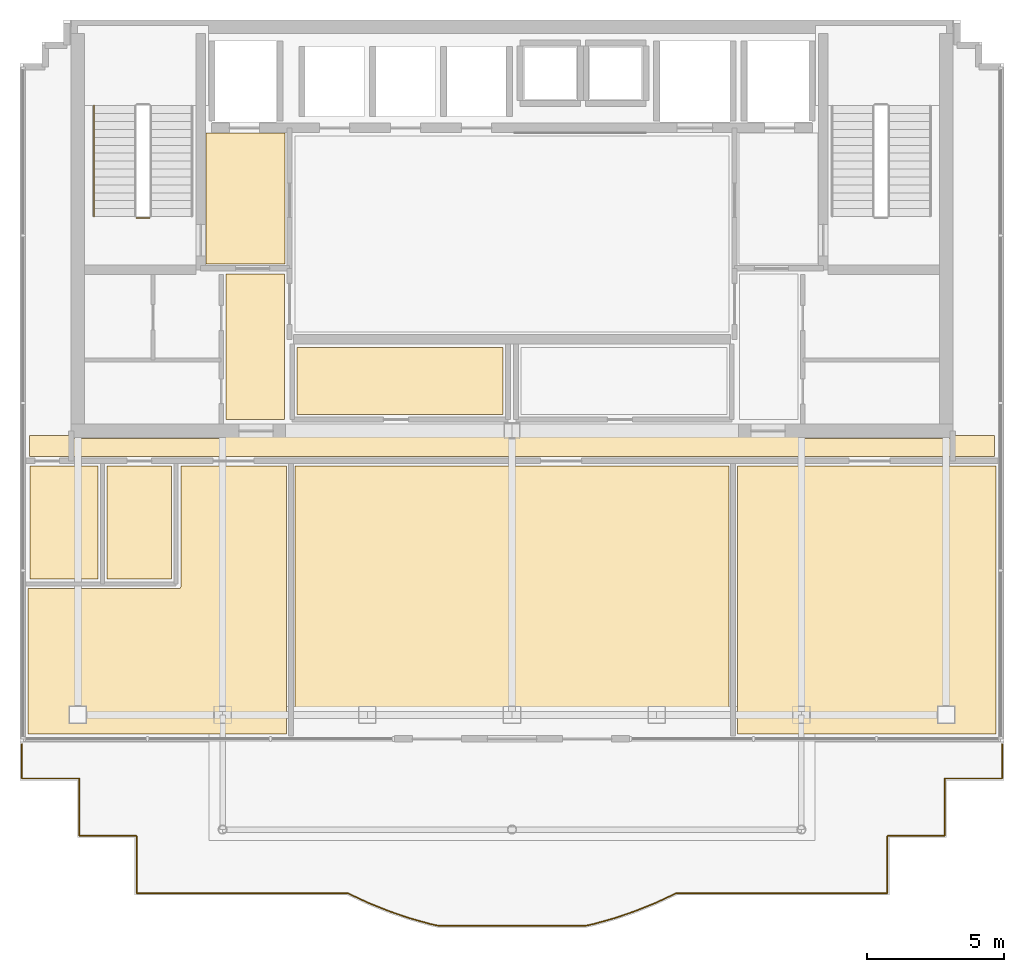
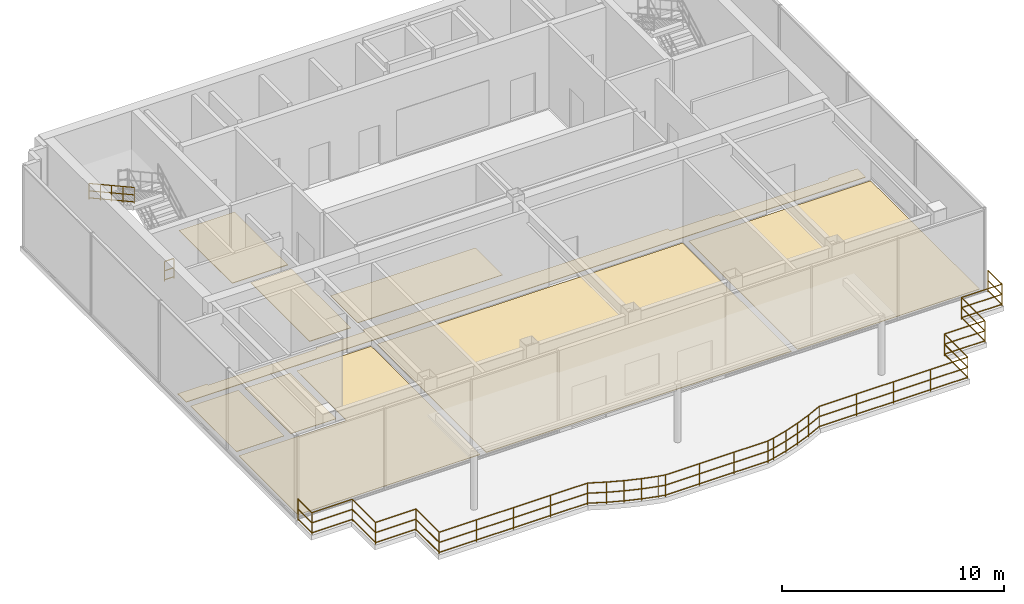
# One storey, part 10 of 11: 9 coverings, 3 railings.
"""IFC4 building model written with IfcOpenShell, lengths in metres."""

from ifc_helpers import new_model, si_unit, direction, frame, origin, origin_2d, place, context, subcontext, project, spatial, polyline, circle, outline, extrude, material, layer, layer_set, type_object, element, save


model = new_model("IFC4")

# Units and contexts
model_context = context("Model", 3, precision=1e-05, world=origin(), true_north=direction((0.0, 1.0)))
body_context = subcontext(model_context, "Body", "Model", "MODEL_VIEW")
ifc_project = project(units=[si_unit("LENGTHUNIT", "METRE"), si_unit("AREAUNIT", "SQUARE_METRE"), si_unit("VOLUMEUNIT", "CUBIC_METRE"), si_unit("PLANEANGLEUNIT", "RADIAN"), si_unit("MASSUNIT", "GRAM", prefix="KILO")], contexts=[model_context])

# Site, building, storey
site_placement = place(None, origin())
site = spatial("IfcSite", under=ifc_project, at=site_placement, CompositionType="ELEMENT")
building_placement = place(site_placement, origin())
building = spatial("IfcBuilding", under=site, at=building_placement, Name="Qianlan Lanfeng Residences", CompositionType="ELEMENT")
storey_placement = place(building_placement, frame((0.0, 0.0, 266.0)))
storey = spatial("IfcBuildingStorey", under=building, at=storey_placement, Name="L74", CompositionType="ELEMENT", Elevation=266.0)

# Coverings
ifc_material_1 = material(Name="Honed Taitung Granite Stone Flooring", Category="masonry")
ifc_layer_1 = layer(ifc_material_1, 0.030029296875)
ifc_layer_set_1 = layer_set([ifc_layer_1], Name="Honed Taitung Granite Stone Flooring")
covering_type_1 = type_object("IfcCoveringType", Name="FLR-STN-30", PredefinedType="FLOORING", material=ifc_layer_set_1)
covering_1_placement = place(storey_placement, origin())
element("IfcCovering", 1, at=covering_1_placement, inside=storey, type_object=covering_type_1, Name="L74 Firefighting Lift Lobby Floor Finish", PredefinedType="FLOORING", context=body_context, shape_type="SweptSolid", body=[
    extrude(outline(polyline([(15.2900390625, 31.320068359375), (18.179931640625, 31.320068359375), (18.179931640625, 36.110107421875), (15.2900390625, 36.110107421875), (15.2900390625, 31.320068359375)])), origin(), (0.0, 0.0, 1.0), 0.030029296875),
])
covering_2_placement = place(storey_placement, origin())
element("IfcCovering", 2, at=covering_2_placement, inside=storey, type_object=covering_type_1, Name="L74 Sky Observation Gallery Floor Finish", PredefinedType="FLOORING", context=body_context, shape_type="SweptSolid", body=[
    extrude(outline(polyline([(18.56005859375, 23.909912109375), (18.56005859375, 14.090087890625), (34.43994140625, 14.090087890625), (34.43994140625, 23.909912109375), (18.56005859375, 23.909912109375)])), origin(), (0.0, 0.0, 1.0), 0.030029296875),
])
covering_3_placement = place(storey_placement, origin())
element("IfcCovering", 3, at=covering_3_placement, inside=storey, type_object=covering_type_1, Name="L74 Observation Concourse Floor Finish", PredefinedType="FLOORING", context=body_context, shape_type="SweptSolid", body=[
    extrude(outline(polyline([(8.820068359375, 24.27001953125), (44.179931640625, 24.27001953125), (44.179931640625, 25.030029296875), (42.669921875, 25.030029296875), (42.669921875, 25.0), (42.669921875, 24.992919921875), (42.6689453125, 24.986083984375), (42.6669921875, 24.97998046875), (42.6650390625, 24.972900390625), (42.662109375, 24.967041015625), (42.657958984375, 24.9609375), (42.654052734375, 24.9560546875), (42.64892578125, 24.950927734375), (42.64404296875, 24.946044921875), (42.638916015625, 24.94189453125), (42.633056640625, 24.93798828125), (42.626953125, 24.93505859375), (42.6201171875, 24.93310546875), (42.614013671875, 24.930908203125), (42.60693359375, 24.929931640625), (42.60009765625, 24.929931640625), (37.050048828125, 24.929931640625), (37.04296875, 24.929931640625), (37.035888671875, 24.930908203125), (37.030029296875, 24.93310546875), (37.02294921875, 24.93505859375), (37.01708984375, 24.93798828125), (37.010986328125, 24.94189453125), (37.006103515625, 24.946044921875), (37.0009765625, 24.950927734375), (36.99609375, 24.9560546875), (36.991943359375, 24.9609375), (36.988037109375, 24.967041015625), (36.985107421875, 24.972900390625), (36.98291015625, 24.97998046875), (36.98095703125, 24.986083984375), (36.97998046875, 24.992919921875), (36.97998046875, 25.0), (36.97998046875, 25.030029296875), (34.5, 25.030029296875), (34.492919921875, 25.030029296875), (34.486083984375, 25.031005859375), (34.47998046875, 25.032958984375), (34.472900390625, 25.034912109375), (34.467041015625, 25.0380859375), (34.4609375, 25.0419921875), (34.4560546875, 25.0458984375), (34.450927734375, 25.051025390625), (34.446044921875, 25.055908203125), (34.44189453125, 25.06103515625), (34.43798828125, 25.06689453125), (34.43505859375, 25.072998046875), (34.43310546875, 25.080078125), (34.430908203125, 25.0859375), (34.429931640625, 25.093017578125), (34.429931640625, 25.10009765625), (34.429931640625, 25.2099609375), (18.570068359375, 25.2099609375), (18.570068359375, 25.10009765625), (18.570068359375, 25.093017578125), (18.569091796875, 25.0859375), (18.56689453125, 25.080078125), (18.56494140625, 25.072998046875), (18.56201171875, 25.06689453125), (18.55810546875, 25.06103515625), (18.553955078125, 25.055908203125), (18.549072265625, 25.051025390625), (18.5439453125, 25.0458984375), (18.5390625, 25.0419921875), (18.532958984375, 25.0380859375), (18.527099609375, 25.034912109375), (18.52001953125, 25.032958984375), (18.513916015625, 25.031005859375), (18.507080078125, 25.030029296875), (18.5, 25.030029296875), (16.02001953125, 25.030029296875), (16.02001953125, 25.0), (16.02001953125, 24.992919921875), (16.01904296875, 24.986083984375), (16.01708984375, 24.97998046875), (16.014892578125, 24.972900390625), (16.011962890625, 24.967041015625), (16.008056640625, 24.9609375), (16.00390625, 24.9560546875), (15.9990234375, 24.950927734375), (15.993896484375, 24.946044921875), (15.989013671875, 24.94189453125), (15.98291015625, 24.93798828125), (15.97705078125, 24.93505859375), (15.969970703125, 24.93310546875), (15.964111328125, 24.930908203125), (15.95703125, 24.929931640625), (15.949951171875, 24.929931640625), (10.39990234375, 24.929931640625), (10.39306640625, 24.929931640625), (10.385986328125, 24.930908203125), (10.3798828125, 24.93310546875), (10.373046875, 24.93505859375), (10.366943359375, 24.93798828125), (10.361083984375, 24.94189453125), (10.35595703125, 24.946044921875), (10.35107421875, 24.950927734375), (10.345947265625, 24.9560546875), (10.342041015625, 24.9609375), (10.337890625, 24.967041015625), (10.3349609375, 24.972900390625), (10.3330078125, 24.97998046875), (10.3310546875, 24.986083984375), (10.330078125, 24.992919921875), (10.330078125, 25.0), (10.330078125, 25.030029296875), (8.820068359375, 25.030029296875), (8.820068359375, 24.27001953125)])), origin(), (0.0, 0.0, 1.0), 0.030029296875),
])
covering_4_placement = place(storey_placement, origin())
element("IfcCovering", 4, at=covering_4_placement, inside=storey, type_object=covering_type_1, Name="L74 Lift Lobby Floor Finish", PredefinedType="FLOORING", context=body_context, shape_type="SweptSolid", body=[
    extrude(outline(polyline([(16.030029296875, 25.6201171875), (18.169921875, 25.6201171875), (18.169921875, 30.949951171875), (16.030029296875, 30.949951171875), (16.030029296875, 25.6201171875)])), origin(), (0.0, 0.0, 1.0), 0.030029296875),
])
ifc_material_2 = material(Name="Slip-Resistant Porcelain Tile Flooring")
ifc_layer_2 = layer(ifc_material_2, 0.02001953125)
ifc_layer_set_2 = layer_set([ifc_layer_2], Name="Slip-Resistant Porcelain Tile Flooring")
covering_type_2 = type_object("IfcCoveringType", Name="FLR-TIL-20", PredefinedType="FLOORING", material=ifc_layer_set_2)
covering_5_placement = place(storey_placement, origin())
element("IfcCovering", 5, at=covering_5_placement, inside=storey, type_object=covering_type_2, Name="L74 Public Restroom Floor Finish", PredefinedType="FLOORING", context=body_context, shape_type="SweptSolid", body=[
    extrude(outline(polyline([(8.85009765625, 19.77001953125), (11.330078125, 19.77001953125), (11.330078125, 23.909912109375), (8.85009765625, 23.909912109375), (8.85009765625, 19.77001953125)])), origin(), (0.0, 0.0, 1.0), 0.02001953125),
])
covering_6_placement = place(storey_placement, origin())
element("IfcCovering", 6, at=covering_6_placement, inside=storey, type_object=covering_type_2, Name="L74 Accessible WC Floor Finish", PredefinedType="FLOORING", context=body_context, shape_type="SweptSolid", body=[
    extrude(outline(polyline([(11.669921875, 19.77001953125), (14.030029296875, 19.77001953125), (14.030029296875, 23.909912109375), (11.669921875, 23.909912109375), (11.669921875, 19.77001953125)])), origin(), (0.0, 0.0, 1.0), 0.02001953125),
])
ifc_material_3 = material(Name="Engineered Smoked Oak Timber Flooring", Category="wood")
ifc_layer_3 = layer(ifc_material_3, 0.02197265625)
ifc_layer_set_3 = layer_set([ifc_layer_3], Name="Engineered Smoked Oak Timber Flooring")
covering_type_3 = type_object("IfcCoveringType", Name="FLR-TIM-22", PredefinedType="FLOORING", material=ifc_layer_set_3)
covering_7_placement = place(storey_placement, origin())
element("IfcCovering", 7, at=covering_7_placement, inside=storey, type_object=covering_type_3, Name="L74 Gallery Salon Floor Finish", PredefinedType="FLOORING", context=body_context, shape_type="SweptSolid", body=[
    extrude(outline(polyline([(18.6298828125, 25.800048828125), (26.169921875, 25.800048828125), (26.169921875, 28.2548828125), (18.6298828125, 28.2548828125), (18.6298828125, 25.800048828125)])), origin(), (0.0, 0.0, 1.0), 0.02197265625),
])
covering_8_placement = place(storey_placement, origin())
element("IfcCovering", 8, at=covering_8_placement, inside=storey, type_object=covering_type_3, Name="L74 Exhibition Alcove Floor Finish", PredefinedType="FLOORING", context=body_context, shape_type="SweptSolid", body=[
    extrude(outline(polyline([(18.239990234375, 14.090087890625), (18.239990234375, 23.909912109375), (14.3701171875, 23.909912109375), (14.3701171875, 19.5), (14.3701171875, 19.492919921875), (14.368896484375, 19.486083984375), (14.366943359375, 19.47998046875), (14.364990234375, 19.472900390625), (14.362060546875, 19.467041015625), (14.35791015625, 19.4609375), (14.35400390625, 19.4560546875), (14.34912109375, 19.450927734375), (14.343994140625, 19.446044921875), (14.339111328125, 19.44189453125), (14.3330078125, 19.43798828125), (14.326904296875, 19.43505859375), (14.320068359375, 19.43310546875), (14.31396484375, 19.430908203125), (14.306884765625, 19.429931640625), (14.300048828125, 19.429931640625), (8.77001953125, 19.429931640625), (8.77001953125, 14.090087890625), (18.239990234375, 14.090087890625)])), origin(), (0.0, 0.0, 1.0), 0.02197265625),
])
covering_9_placement = place(storey_placement, origin())
element("IfcCovering", 9, at=covering_9_placement, inside=storey, type_object=covering_type_3, Name="L74 Telescope Viewing Room Floor Finish", PredefinedType="FLOORING", context=body_context, shape_type="SweptSolid", body=[
    extrude(outline(polyline([(34.760009765625, 23.909912109375), (34.760009765625, 14.090087890625), (44.22998046875, 14.090087890625), (44.22998046875, 23.909912109375), (34.760009765625, 23.909912109375)])), origin(), (0.0, 0.0, 1.0), 0.02197265625),
])

# Railings
ifc_material_4 = material(Name="Anodised Bronze Aluminium and Laminated Glass Guard Balustrade", Category="aluminium")
railing_type_1 = type_object("IfcRailingType", Name="GR-EXT-1220", PredefinedType="BALUSTRADE", material=ifc_material_4)
railing_1_placement = place(storey_placement, frame((44.449951171875, 13.72998046875, 0.0)))
element("IfcRailing", 10, at=railing_1_placement, inside=storey, type_object=railing_type_1, Name="L74 Terrace Safety Guard GR-L74-OBS", PredefinedType="BALUSTRADE", context=body_context, shape_type="SweptSolid", body=[
    extrude(circle(Radius=0.02490234375, at=origin_2d()), frame((0.0, 0.0, 0.0849609375), z_axis=(0.0, -1.0, 0.0), x_axis=(1.0, 0.0, 0.0)), (0.0, 0.0, 1.0), 1.260009765625),
    extrude(circle(Radius=0.02490234375, at=origin_2d()), frame((0.0, 0.0, 0.63427734375), z_axis=(0.0, -1.0, 0.0), x_axis=(1.0, 0.0, 0.0)), (0.0, 0.0, 1.0), 1.260009765625),
    extrude(circle(Radius=0.02490234375, at=origin_2d()), frame((0.0, 0.0, 1.19482421875), z_axis=(0.0, -1.0, 0.0), x_axis=(1.0, 0.0, 0.0)), (0.0, 0.0, 1.0), 1.260009765625),
    extrude(circle(Radius=0.02490234375, at=origin_2d()), frame((0.0, -1.260009765625, 0.0849609375), z_axis=(-1.0, 0.0, 0.0), x_axis=(0.0, -1.0, 0.0)), (0.0, 0.0, 1.0), 2.099853515625),
    extrude(circle(Radius=0.02490234375, at=origin_2d()), frame((0.0, -1.260009765625, 0.63427734375), z_axis=(-1.0, 0.0, 0.0), x_axis=(0.0, -1.0, 0.0)), (0.0, 0.0, 1.0), 2.099853515625),
    extrude(circle(Radius=0.02490234375, at=origin_2d()), frame((0.0, -1.260009765625, 1.19482421875), z_axis=(-1.0, 0.0, 0.0), x_axis=(0.0, -1.0, 0.0)), (0.0, 0.0, 1.0), 2.099853515625),
    extrude(circle(Radius=0.02490234375, at=origin_2d()), frame((-2.099853515625, -1.260009765625, 0.0849609375), z_axis=(0.0, -1.0, 0.0), x_axis=(1.0, 0.0, 0.0)), (0.0, 0.0, 1.0), 2.099853515625),
    extrude(circle(Radius=0.02490234375, at=origin_2d()), frame((-2.099853515625, -1.260009765625, 0.63427734375), z_axis=(0.0, -1.0, 0.0), x_axis=(1.0, 0.0, 0.0)), (0.0, 0.0, 1.0), 2.099853515625),
    extrude(circle(Radius=0.02490234375, at=origin_2d()), frame((-2.099853515625, -1.260009765625, 1.19482421875), z_axis=(0.0, -1.0, 0.0), x_axis=(1.0, 0.0, 0.0)), (0.0, 0.0, 1.0), 2.099853515625),
    extrude(circle(Radius=0.02490234375, at=origin_2d()), frame((-2.099853515625, -3.35986328125, 0.0849609375), z_axis=(-1.0, 0.0, 0.0), x_axis=(0.0, -1.0, 0.0)), (0.0, 0.0, 1.0), 2.10009765625),
    extrude(circle(Radius=0.02490234375, at=origin_2d()), frame((-2.099853515625, -3.35986328125, 0.63427734375), z_axis=(-1.0, 0.0, 0.0), x_axis=(0.0, -1.0, 0.0)), (0.0, 0.0, 1.0), 2.10009765625),
    extrude(circle(Radius=0.02490234375, at=origin_2d()), frame((-2.099853515625, -3.35986328125, 1.19482421875), z_axis=(-1.0, 0.0, 0.0), x_axis=(0.0, -1.0, 0.0)), (0.0, 0.0, 1.0), 2.10009765625),
    extrude(circle(Radius=0.02490234375, at=origin_2d()), frame((-4.199951171875, -3.35986328125, 0.0849609375), z_axis=(0.0, -1.0, 0.0), x_axis=(1.0, 0.0, 0.0)), (0.0, 0.0, 1.0), 2.10009765625),
    extrude(circle(Radius=0.02490234375, at=origin_2d()), frame((-4.199951171875, -3.35986328125, 0.63427734375), z_axis=(0.0, -1.0, 0.0), x_axis=(1.0, 0.0, 0.0)), (0.0, 0.0, 1.0), 2.10009765625),
    extrude(circle(Radius=0.02490234375, at=origin_2d()), frame((-4.199951171875, -3.35986328125, 1.19482421875), z_axis=(0.0, -1.0, 0.0), x_axis=(1.0, 0.0, 0.0)), (0.0, 0.0, 1.0), 2.10009765625),
    extrude(circle(Radius=0.02490234375, at=origin_2d()), frame((-4.199951171875, -5.4599609375, 0.0849609375), z_axis=(-1.0, 0.0, 0.0), x_axis=(0.0, -1.0, 0.0)), (0.0, 0.0, 1.0), 7.72607421875),
    extrude(circle(Radius=0.02490234375, at=origin_2d()), frame((-4.199951171875, -5.4599609375, 0.63427734375), z_axis=(-1.0, 0.0, 0.0), x_axis=(0.0, -1.0, 0.0)), (0.0, 0.0, 1.0), 7.72607421875),
    extrude(circle(Radius=0.02490234375, at=origin_2d()), frame((-4.199951171875, -5.4599609375, 1.19482421875), z_axis=(-1.0, 0.0, 0.0), x_axis=(0.0, -1.0, 0.0)), (0.0, 0.0, 1.0), 7.72607421875),
    extrude(circle(Radius=0.02490234375, at=origin_2d()), frame((-11.926025390625, -5.4599609375, 0.0849609375), z_axis=(-0.906161027869, -0.422932845226, 0.0), x_axis=(0.422932845226, -0.906161027869, 0.0)), (0.0, 0.0, 1.0), 0.84619140625),
    extrude(circle(Radius=0.02490234375, at=origin_2d()), frame((-11.926025390625, -5.4599609375, 0.63427734375), z_axis=(-0.906161027869, -0.422932845226, 0.0), x_axis=(0.422932845226, -0.906161027869, 0.0)), (0.0, 0.0, 1.0), 0.84619140625),
    extrude(circle(Radius=0.02490234375, at=origin_2d()), frame((-11.926025390625, -5.4599609375, 1.19482421875), z_axis=(-0.906161027869, -0.422932845226, 0.0), x_axis=(0.422932845226, -0.906161027869, 0.0)), (0.0, 0.0, 1.0), 0.84619140625),
    extrude(circle(Radius=0.02490234375, at=origin_2d()), frame((-12.69287109375, -5.81787109375, 0.0849609375), z_axis=(-0.927788655296, -0.373106165995, 0.0), x_axis=(0.373106165995, -0.927788655296, 0.0)), (0.0, 0.0, 1.0), 0.809326171875),
    extrude(circle(Radius=0.02490234375, at=origin_2d()), frame((-12.69287109375, -5.81787109375, 0.63427734375), z_axis=(-0.927788655296, -0.373106165995, 0.0), x_axis=(0.373106165995, -0.927788655296, 0.0)), (0.0, 0.0, 1.0), 0.809326171875),
    extrude(circle(Radius=0.02490234375, at=origin_2d()), frame((-12.69287109375, -5.81787109375, 1.19482421875), z_axis=(-0.927788655296, -0.373106165995, 0.0), x_axis=(0.373106165995, -0.927788655296, 0.0)), (0.0, 0.0, 1.0), 0.809326171875),
    extrude(circle(Radius=0.02490234375, at=origin_2d()), frame((-13.44384765625, -6.119873046875, 0.0849609375), z_axis=(-0.946260479607, -0.323405480372, 0.0), x_axis=(0.323405480372, -0.946260479607, 0.0)), (0.0, 0.0, 1.0), 0.794921875),
    extrude(circle(Radius=0.02490234375, at=origin_2d()), frame((-13.44384765625, -6.119873046875, 0.63427734375), z_axis=(-0.946260479607, -0.323405480372, 0.0), x_axis=(0.323405480372, -0.946260479607, 0.0)), (0.0, 0.0, 1.0), 0.794921875),
    extrude(circle(Radius=0.02490234375, at=origin_2d()), frame((-13.44384765625, -6.119873046875, 1.19482421875), z_axis=(-0.946260479607, -0.323405480372, 0.0), x_axis=(0.323405480372, -0.946260479607, 0.0)), (0.0, 0.0, 1.0), 0.794921875),
    extrude(circle(Radius=0.02490234375, at=origin_2d()), frame((-14.196044921875, -6.376953125, 0.0849609375), z_axis=(-0.963068001999, -0.269258284044, 0.0), x_axis=(0.269258284044, -0.963068001999, 0.0)), (0.0, 0.0, 1.0), 0.77978515625),
    extrude(circle(Radius=0.02490234375, at=origin_2d()), frame((-14.196044921875, -6.376953125, 0.63427734375), z_axis=(-0.963068001999, -0.269258284044, 0.0), x_axis=(0.269258284044, -0.963068001999, 0.0)), (0.0, 0.0, 1.0), 0.77978515625),
    extrude(circle(Radius=0.02490234375, at=origin_2d()), frame((-14.196044921875, -6.376953125, 1.19482421875), z_axis=(-0.963068001999, -0.269258284044, 0.0), x_axis=(0.269258284044, -0.963068001999, 0.0)), (0.0, 0.0, 1.0), 0.77978515625),
    extrude(circle(Radius=0.02490234375, at=origin_2d()), frame((-14.947021484375, -6.5869140625, 0.0849609375), z_axis=(-0.977195588382, -0.212341192534, 0.0), x_axis=(0.212341192534, -0.977195588382, 0.0)), (0.0, 0.0, 1.0), 0.34375),
    extrude(circle(Radius=0.02490234375, at=origin_2d()), frame((-14.947021484375, -6.5869140625, 0.63427734375), z_axis=(-0.977195588382, -0.212341192534, 0.0), x_axis=(0.212341192534, -0.977195588382, 0.0)), (0.0, 0.0, 1.0), 0.34375),
    extrude(circle(Radius=0.02490234375, at=origin_2d()), frame((-14.947021484375, -6.5869140625, 1.19482421875), z_axis=(-0.977195588382, -0.212341192534, 0.0), x_axis=(0.212341192534, -0.977195588382, 0.0)), (0.0, 0.0, 1.0), 0.34375),
    extrude(circle(Radius=0.02490234375, at=origin_2d()), frame((-15.282958984375, -6.659912109375, 0.0849609375), z_axis=(-1.0, 0.0, 0.0), x_axis=(0.0, -1.0, 0.0)), (0.0, 0.0, 1.0), 5.333984375),
    extrude(circle(Radius=0.02490234375, at=origin_2d()), frame((-15.282958984375, -6.659912109375, 0.63427734375), z_axis=(-1.0, 0.0, 0.0), x_axis=(0.0, -1.0, 0.0)), (0.0, 0.0, 1.0), 5.333984375),
    extrude(circle(Radius=0.02490234375, at=origin_2d()), frame((-15.282958984375, -6.659912109375, 1.19482421875), z_axis=(-1.0, 0.0, 0.0), x_axis=(0.0, -1.0, 0.0)), (0.0, 0.0, 1.0), 5.333984375),
    extrude(circle(Radius=0.02490234375, at=origin_2d()), frame((-20.616943359375, -6.659912109375, 0.0849609375), z_axis=(-0.977195588382, 0.212341192534, 0.0), x_axis=(-0.212341192534, -0.977195588382, 0.0)), (0.0, 0.0, 1.0), 0.34375),
    extrude(circle(Radius=0.02490234375, at=origin_2d()), frame((-20.616943359375, -6.659912109375, 0.63427734375), z_axis=(-0.977195588382, 0.212341192534, 0.0), x_axis=(-0.212341192534, -0.977195588382, 0.0)), (0.0, 0.0, 1.0), 0.34375),
    extrude(circle(Radius=0.02490234375, at=origin_2d()), frame((-20.616943359375, -6.659912109375, 1.19482421875), z_axis=(-0.977195588382, 0.212341192534, 0.0), x_axis=(-0.212341192534, -0.977195588382, 0.0)), (0.0, 0.0, 1.0), 0.34375),
    extrude(circle(Radius=0.02490234375, at=origin_2d()), frame((-20.952880859375, -6.5869140625, 0.0849609375), z_axis=(-0.963068001999, 0.269258284044, 0.0), x_axis=(-0.269258284044, -0.963068001999, 0.0)), (0.0, 0.0, 1.0), 0.77978515625),
    extrude(circle(Radius=0.02490234375, at=origin_2d()), frame((-20.952880859375, -6.5869140625, 0.63427734375), z_axis=(-0.963068001999, 0.269258284044, 0.0), x_axis=(-0.269258284044, -0.963068001999, 0.0)), (0.0, 0.0, 1.0), 0.77978515625),
    extrude(circle(Radius=0.02490234375, at=origin_2d()), frame((-20.952880859375, -6.5869140625, 1.19482421875), z_axis=(-0.963068001999, 0.269258284044, 0.0), x_axis=(-0.269258284044, -0.963068001999, 0.0)), (0.0, 0.0, 1.0), 0.77978515625),
    extrude(circle(Radius=0.02490234375, at=origin_2d()), frame((-21.703857421875, -6.376953125, 0.0849609375), z_axis=(-0.946260479607, 0.323405480372, 0.0), x_axis=(-0.323405480372, -0.946260479607, 0.0)), (0.0, 0.0, 1.0), 0.794921875),
    extrude(circle(Radius=0.02490234375, at=origin_2d()), frame((-21.703857421875, -6.376953125, 0.63427734375), z_axis=(-0.946260479607, 0.323405480372, 0.0), x_axis=(-0.323405480372, -0.946260479607, 0.0)), (0.0, 0.0, 1.0), 0.794921875),
    extrude(circle(Radius=0.02490234375, at=origin_2d()), frame((-21.703857421875, -6.376953125, 1.19482421875), z_axis=(-0.946260479607, 0.323405480372, 0.0), x_axis=(-0.323405480372, -0.946260479607, 0.0)), (0.0, 0.0, 1.0), 0.794921875),
    extrude(circle(Radius=0.02490234375, at=origin_2d()), frame((-22.4560546875, -6.119873046875, 0.0849609375), z_axis=(-0.927788655296, 0.373106165995, 0.0), x_axis=(-0.373106165995, -0.927788655296, 0.0)), (0.0, 0.0, 1.0), 0.809326171875),
    extrude(circle(Radius=0.02490234375, at=origin_2d()), frame((-22.4560546875, -6.119873046875, 0.63427734375), z_axis=(-0.927788655296, 0.373106165995, 0.0), x_axis=(-0.373106165995, -0.927788655296, 0.0)), (0.0, 0.0, 1.0), 0.809326171875),
    extrude(circle(Radius=0.02490234375, at=origin_2d()), frame((-22.4560546875, -6.119873046875, 1.19482421875), z_axis=(-0.927788655296, 0.373106165995, 0.0), x_axis=(-0.373106165995, -0.927788655296, 0.0)), (0.0, 0.0, 1.0), 0.809326171875),
    extrude(circle(Radius=0.02490234375, at=origin_2d()), frame((-23.20703125, -5.81787109375, 0.0849609375), z_axis=(-0.906161027869, 0.422932845226, 0.0), x_axis=(-0.422932845226, -0.906161027869, 0.0)), (0.0, 0.0, 1.0), 0.84619140625),
    extrude(circle(Radius=0.02490234375, at=origin_2d()), frame((-23.20703125, -5.81787109375, 0.63427734375), z_axis=(-0.906161027869, 0.422932845226, 0.0), x_axis=(-0.422932845226, -0.906161027869, 0.0)), (0.0, 0.0, 1.0), 0.84619140625),
    extrude(circle(Radius=0.02490234375, at=origin_2d()), frame((-23.20703125, -5.81787109375, 1.19482421875), z_axis=(-0.906161027869, 0.422932845226, 0.0), x_axis=(-0.422932845226, -0.906161027869, 0.0)), (0.0, 0.0, 1.0), 0.84619140625),
    extrude(circle(Radius=0.02490234375, at=origin_2d()), frame((-23.973876953125, -5.4599609375, 0.0849609375), z_axis=(-1.0, 0.0, 0.0), x_axis=(0.0, -1.0, 0.0)), (0.0, 0.0, 1.0), 7.72607421875),
    extrude(circle(Radius=0.02490234375, at=origin_2d()), frame((-23.973876953125, -5.4599609375, 0.63427734375), z_axis=(-1.0, 0.0, 0.0), x_axis=(0.0, -1.0, 0.0)), (0.0, 0.0, 1.0), 7.72607421875),
    extrude(circle(Radius=0.02490234375, at=origin_2d()), frame((-23.973876953125, -5.4599609375, 1.19482421875), z_axis=(-1.0, 0.0, 0.0), x_axis=(0.0, -1.0, 0.0)), (0.0, 0.0, 1.0), 7.72607421875),
    extrude(circle(Radius=0.02490234375, at=origin_2d()), frame((-31.699951171875, -5.4599609375, 0.0849609375), z_axis=(0.0, 1.0, 0.0), x_axis=(-1.0, 0.0, 0.0)), (0.0, 0.0, 1.0), 2.10009765625),
    extrude(circle(Radius=0.02490234375, at=origin_2d()), frame((-31.699951171875, -5.4599609375, 0.63427734375), z_axis=(0.0, 1.0, 0.0), x_axis=(-1.0, 0.0, 0.0)), (0.0, 0.0, 1.0), 2.10009765625),
    extrude(circle(Radius=0.02490234375, at=origin_2d()), frame((-31.699951171875, -5.4599609375, 1.19482421875), z_axis=(0.0, 1.0, 0.0), x_axis=(-1.0, 0.0, 0.0)), (0.0, 0.0, 1.0), 2.10009765625),
    extrude(circle(Radius=0.02490234375, at=origin_2d()), frame((-31.699951171875, -3.35986328125, 0.0849609375), z_axis=(-1.0, 0.0, 0.0), x_axis=(0.0, -1.0, 0.0)), (0.0, 0.0, 1.0), 2.10009765625),
    extrude(circle(Radius=0.02490234375, at=origin_2d()), frame((-31.699951171875, -3.35986328125, 0.63427734375), z_axis=(-1.0, 0.0, 0.0), x_axis=(0.0, -1.0, 0.0)), (0.0, 0.0, 1.0), 2.10009765625),
    extrude(circle(Radius=0.02490234375, at=origin_2d()), frame((-31.699951171875, -3.35986328125, 1.19482421875), z_axis=(-1.0, 0.0, 0.0), x_axis=(0.0, -1.0, 0.0)), (0.0, 0.0, 1.0), 2.10009765625),
    extrude(circle(Radius=0.02490234375, at=origin_2d()), frame((-33.800048828125, -3.35986328125, 0.0849609375), z_axis=(0.0, 1.0, 0.0), x_axis=(-1.0, 0.0, 0.0)), (0.0, 0.0, 1.0), 2.099853515625),
    extrude(circle(Radius=0.02490234375, at=origin_2d()), frame((-33.800048828125, -3.35986328125, 0.63427734375), z_axis=(0.0, 1.0, 0.0), x_axis=(-1.0, 0.0, 0.0)), (0.0, 0.0, 1.0), 2.099853515625),
    extrude(circle(Radius=0.02490234375, at=origin_2d()), frame((-33.800048828125, -3.35986328125, 1.19482421875), z_axis=(0.0, 1.0, 0.0), x_axis=(-1.0, 0.0, 0.0)), (0.0, 0.0, 1.0), 2.099853515625),
    extrude(circle(Radius=0.02490234375, at=origin_2d()), frame((-33.800048828125, -1.260009765625, 0.0849609375), z_axis=(-1.0, 0.0, 0.0), x_axis=(0.0, -1.0, 0.0)), (0.0, 0.0, 1.0), 2.099853515625),
    extrude(circle(Radius=0.02490234375, at=origin_2d()), frame((-33.800048828125, -1.260009765625, 0.63427734375), z_axis=(-1.0, 0.0, 0.0), x_axis=(0.0, -1.0, 0.0)), (0.0, 0.0, 1.0), 2.099853515625),
    extrude(circle(Radius=0.02490234375, at=origin_2d()), frame((-33.800048828125, -1.260009765625, 1.19482421875), z_axis=(-1.0, 0.0, 0.0), x_axis=(0.0, -1.0, 0.0)), (0.0, 0.0, 1.0), 2.099853515625),
    extrude(circle(Radius=0.02490234375, at=origin_2d()), frame((-35.89990234375, -1.260009765625, 0.0849609375), z_axis=(0.0, 1.0, 0.0), x_axis=(-1.0, 0.0, 0.0)), (0.0, 0.0, 1.0), 1.260009765625),
    extrude(circle(Radius=0.02490234375, at=origin_2d()), frame((-35.89990234375, -1.260009765625, 0.63427734375), z_axis=(0.0, 1.0, 0.0), x_axis=(-1.0, 0.0, 0.0)), (0.0, 0.0, 1.0), 1.260009765625),
    extrude(circle(Radius=0.02490234375, at=origin_2d()), frame((-35.89990234375, -1.260009765625, 1.19482421875), z_axis=(0.0, 1.0, 0.0), x_axis=(-1.0, 0.0, 0.0)), (0.0, 0.0, 1.0), 1.260009765625),
    extrude(circle(Radius=0.02099609375, at=origin_2d()), origin(), (0.0, 0.0, 1.0), 1.169921875),
    extrude(circle(Radius=0.02099609375, at=origin_2d()), frame((0.0, -1.260009765625, 0.0)), (0.0, 0.0, 1.0), 1.169921875),
    extrude(circle(Radius=0.02099609375, at=origin_2d()), frame((-2.099853515625, -1.260009765625, 0.0)), (0.0, 0.0, 1.0), 1.169921875),
    extrude(circle(Radius=0.02099609375, at=origin_2d()), frame((-2.099853515625, -3.35986328125, 0.0)), (0.0, 0.0, 1.0), 1.169921875),
    extrude(circle(Radius=0.02099609375, at=origin_2d()), frame((-4.199951171875, -3.35986328125, 0.0)), (0.0, 0.0, 1.0), 1.169921875),
    extrude(circle(Radius=0.02099609375, at=origin_2d()), frame((-4.199951171875, -5.4599609375, 0.0)), (0.0, 0.0, 1.0), 1.169921875),
    extrude(circle(Radius=0.02099609375, at=origin_2d()), frame((-6.13134765625, -5.4599609375, 0.0)), (0.0, 0.0, 1.0), 1.169921875),
    extrude(circle(Radius=0.02099609375, at=origin_2d()), frame((-8.06298828125, -5.4599609375, 0.0)), (0.0, 0.0, 1.0), 1.169921875),
    extrude(circle(Radius=0.02099609375, at=origin_2d()), frame((-9.99462890625, -5.4599609375, 0.0)), (0.0, 0.0, 1.0), 1.169921875),
    extrude(circle(Radius=0.02099609375, at=origin_2d()), frame((-11.926025390625, -5.4599609375, 0.0)), (0.0, 0.0, 1.0), 1.169921875),
    extrude(circle(Radius=0.02099609375, at=origin_2d()), frame((-12.69287109375, -5.81787109375, 0.0)), (0.0, 0.0, 1.0), 1.169921875),
    extrude(circle(Radius=0.02099609375, at=origin_2d()), frame((-13.44384765625, -6.119873046875, 0.0)), (0.0, 0.0, 1.0), 1.169921875),
    extrude(circle(Radius=0.02099609375, at=origin_2d()), frame((-14.196044921875, -6.376953125, 0.0)), (0.0, 0.0, 1.0), 1.169921875),
    extrude(circle(Radius=0.02099609375, at=origin_2d()), frame((-14.947021484375, -6.5869140625, 0.0)), (0.0, 0.0, 1.0), 1.169921875),
    extrude(circle(Radius=0.02099609375, at=origin_2d()), frame((-15.282958984375, -6.659912109375, 0.0)), (0.0, 0.0, 1.0), 1.169921875),
    extrude(circle(Radius=0.02099609375, at=origin_2d()), frame((-17.06103515625, -6.659912109375, 0.0)), (0.0, 0.0, 1.0), 1.169921875),
    extrude(circle(Radius=0.02099609375, at=origin_2d()), frame((-18.8388671875, -6.659912109375, 0.0)), (0.0, 0.0, 1.0), 1.169921875),
    extrude(circle(Radius=0.02099609375, at=origin_2d()), frame((-20.616943359375, -6.659912109375, 0.0)), (0.0, 0.0, 1.0), 1.169921875),
    extrude(circle(Radius=0.02099609375, at=origin_2d()), frame((-20.952880859375, -6.5869140625, 0.0)), (0.0, 0.0, 1.0), 1.169921875),
    extrude(circle(Radius=0.02099609375, at=origin_2d()), frame((-21.703857421875, -6.376953125, 0.0)), (0.0, 0.0, 1.0), 1.169921875),
    extrude(circle(Radius=0.02099609375, at=origin_2d()), frame((-22.4560546875, -6.119873046875, 0.0)), (0.0, 0.0, 1.0), 1.169921875),
    extrude(circle(Radius=0.02099609375, at=origin_2d()), frame((-23.20703125, -5.81787109375, 0.0)), (0.0, 0.0, 1.0), 1.169921875),
    extrude(circle(Radius=0.02099609375, at=origin_2d()), frame((-23.973876953125, -5.4599609375, 0.0)), (0.0, 0.0, 1.0), 1.169921875),
    extrude(circle(Radius=0.02099609375, at=origin_2d()), frame((-25.9052734375, -5.4599609375, 0.0)), (0.0, 0.0, 1.0), 1.169921875),
    extrude(circle(Radius=0.02099609375, at=origin_2d()), frame((-27.8369140625, -5.4599609375, 0.0)), (0.0, 0.0, 1.0), 1.169921875),
    extrude(circle(Radius=0.02099609375, at=origin_2d()), frame((-29.7685546875, -5.4599609375, 0.0)), (0.0, 0.0, 1.0), 1.169921875),
    extrude(circle(Radius=0.02099609375, at=origin_2d()), frame((-31.699951171875, -5.4599609375, 0.0)), (0.0, 0.0, 1.0), 1.169921875),
    extrude(circle(Radius=0.02099609375, at=origin_2d()), frame((-31.699951171875, -3.35986328125, 0.0)), (0.0, 0.0, 1.0), 1.169921875),
    extrude(circle(Radius=0.02099609375, at=origin_2d()), frame((-33.800048828125, -3.35986328125, 0.0)), (0.0, 0.0, 1.0), 1.169921875),
    extrude(circle(Radius=0.02099609375, at=origin_2d()), frame((-33.800048828125, -1.260009765625, 0.0)), (0.0, 0.0, 1.0), 1.169921875),
    extrude(circle(Radius=0.02099609375, at=origin_2d()), frame((-35.89990234375, -1.260009765625, 0.0)), (0.0, 0.0, 1.0), 1.169921875),
    extrude(circle(Radius=0.02099609375, at=origin_2d()), frame((-35.89990234375, 0.0, 0.0)), (0.0, 0.0, 1.0), 1.169921875),
])
ifc_material_5 = material(Name="Painted Galvanised Steel Guardrail", Category="steel")
railing_type_2 = type_object("IfcRailingType", Name="GR-ST-1120", PredefinedType="GUARDRAIL", material=ifc_material_5)
railing_2_placement = place(storey_placement, frame((13.219970703125, 33.0, 0.0)))
element("IfcRailing", 11, at=railing_2_placement, inside=storey, type_object=railing_type_2, Name="L74 ST-1 stair guard 4", PredefinedType="GUARDRAIL", context=body_context, shape_type="SweptSolid", body=[
    extrude(circle(Radius=0.02392578125, at=origin_2d()), frame((0.0, 0.0, 0.083984375), z_axis=(-1.0, 0.0, 0.0), x_axis=(0.0, -1.0, 0.0)), (0.0, 0.0, 1.0), 0.47998046875),
    extrude(circle(Radius=0.02392578125, at=origin_2d()), frame((0.0, 0.0, 0.58251953125), z_axis=(-1.0, 0.0, 0.0), x_axis=(0.0, -1.0, 0.0)), (0.0, 0.0, 1.0), 0.47998046875),
    extrude(circle(Radius=0.02392578125, at=origin_2d()), frame((0.0, 0.0, 1.09619140625), z_axis=(-1.0, 0.0, 0.0), x_axis=(0.0, -1.0, 0.0)), (0.0, 0.0, 1.0), 0.47998046875),
    extrude(circle(Radius=0.02099609375, at=origin_2d()), origin(), (0.0, 0.0, 1.0), 1.072021484375),
    extrude(circle(Radius=0.02099609375, at=origin_2d()), frame((-0.47998046875, 0.0, 0.0)), (0.0, 0.0, 1.0), 1.072021484375),
])
ifc_material_6 = material(Name="Brushed Stainless Steel Handrail", Category="steel")
railing_type_3 = type_object("IfcRailingType", Name="HR-ST-920", PredefinedType="HANDRAIL", material=ifc_material_6)
railing_3_placement = place(storey_placement, frame((11.18994140625, 37.110107421875, 2.56005859375)))
element("IfcRailing", 12, at=railing_3_placement, inside=storey, type_object=railing_type_3, Name="L74 ST-1 stair handrail 2", PredefinedType="HANDRAIL", context=body_context, shape_type="SweptSolid", body=[
    extrude(circle(Radius=0.02392578125, at=origin_2d()), frame((0.0, 0.0, 0.083984375), z_axis=(0.0, -0.875581523614, 0.483070383594), x_axis=(1.0, 0.0, 0.0)), (0.0, 0.0, 1.0), 4.636962890625),
    extrude(circle(Radius=0.02392578125, at=origin_2d()), frame((0.0, 0.0, 0.468017578125), z_axis=(0.0, -0.875581523614, 0.483070383594), x_axis=(1.0, 0.0, 0.0)), (0.0, 0.0, 1.0), 4.636962890625),
    extrude(circle(Radius=0.02392578125, at=origin_2d()), frame((0.0, 0.0, 0.8759765625), z_axis=(0.0, -0.875581523614, 0.483070383594), x_axis=(1.0, 0.0, 0.0)), (0.0, 0.0, 1.0), 4.636962890625),
    extrude(circle(Radius=0.02099609375, at=origin_2d()), origin(), (0.0, 0.0, 1.0), 0.851806640625),
    extrude(circle(Radius=0.02099609375, at=origin_2d()), frame((0.0, -1.01513671875, 0.56005859375)), (0.0, 0.0, 1.0), 0.851806640625),
    extrude(circle(Radius=0.02099609375, at=origin_2d()), frame((0.0, -2.030029296875, 1.1201171875)), (0.0, 0.0, 1.0), 0.851806640625),
    extrude(circle(Radius=0.02099609375, at=origin_2d()), frame((0.0, -3.044921875, 1.679931640625)), (0.0, 0.0, 1.0), 0.851806640625),
    extrude(circle(Radius=0.02099609375, at=origin_2d()), frame((0.0, -4.06005859375, 2.239990234375)), (0.0, 0.0, 1.0), 0.851806640625),
])

save(model, "model.ifc")
